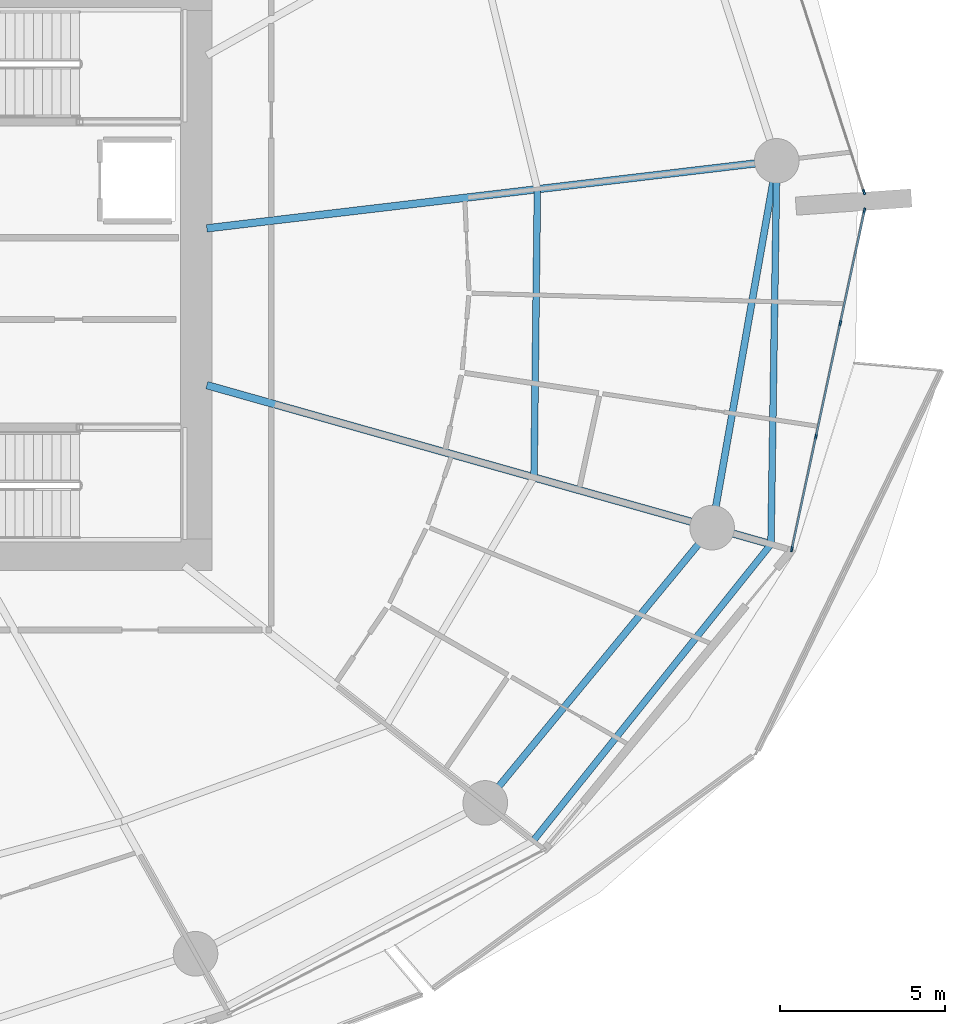
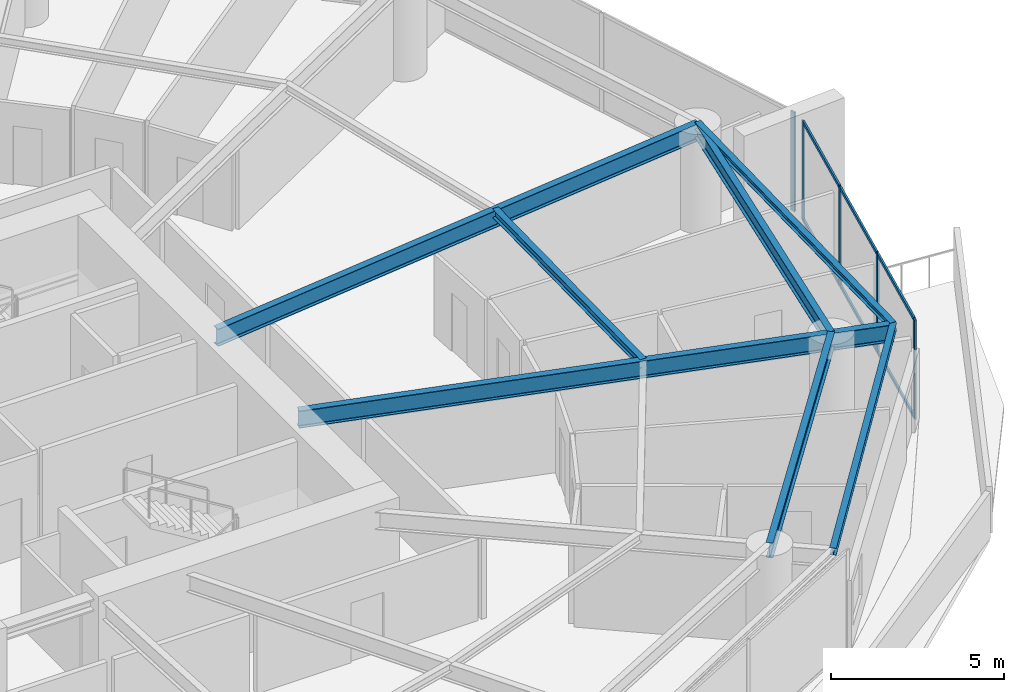
# One storey, part 11 of 30: 11 members, 7 beams, 2 elements without a shape of their own.
"""IFC4 building model written with IfcOpenShell, lengths in metres."""

from ifc_helpers import new_model, si_unit, direction, frame, origin, origin_2d, place, context, subcontext, project, spatial, rectangle, i_section, extrude, material, layer, layer_set, material_profile, profile_set, type_object, element, aggregate, save


model = new_model("IFC4")

# Units and contexts
model_context = context("Model", 3, precision=1e-05, world=origin(), true_north=direction((0.0, 1.0)))
body_context = subcontext(model_context, "Body", "Model", "MODEL_VIEW")
ifc_project = project(units=[si_unit("LENGTHUNIT", "METRE"), si_unit("AREAUNIT", "SQUARE_METRE"), si_unit("VOLUMEUNIT", "CUBIC_METRE"), si_unit("PLANEANGLEUNIT", "RADIAN"), si_unit("MASSUNIT", "GRAM", prefix="KILO")], contexts=[model_context])

# Site, building, storey
site_placement = place(None, origin())
site = spatial("IfcSite", under=ifc_project, at=site_placement, CompositionType="ELEMENT")
building_placement = place(site_placement, origin())
building = spatial("IfcBuilding", under=site, at=building_placement, Name="Kazma Halo Residences", CompositionType="ELEMENT")
storey_placement = place(building_placement, frame((0.0, 0.0, 56.39990234375)))
storey = spatial("IfcBuildingStorey", under=building, at=storey_placement, Name="L13", CompositionType="ELEMENT", Elevation=56.39990234375)

# Beams
ifc_material_1 = material(Name="Steel S355", Category="steel")
ifc_material_profile_1 = material_profile(ifc_material_1, i_section(OverallWidth=0.201904296875, OverallDepth=0.2470703125, WebThickness=0.00732421875, FlangeThickness=0.010986328125, FilletRadius=0.011962890625, at=origin_2d()), Name="W250x49.1")
ifc_profile_set_1 = profile_set([ifc_material_profile_1], Name="Steel S355")
beam_type_1 = type_object("IfcBeamType", Name="BM-BAL-CANT", PredefinedType="BEAM", material=ifc_profile_set_1)
beam_1_placement = place(storey_placement, frame((69.728515625, 24.87060546875, 3.376708984375), z_axis=(0.625476617708, 0.780242911343, 0.0), x_axis=(-0.780242911343, 0.625476617708, 0.0)))
element("IfcBeam", 1, at=beam_1_placement, inside=storey, type_object=beam_type_1, Name="L13 wave-balcony tie beam 14", PredefinedType="BEAM", context=body_context, shape_type="SweptSolid", body=[
    extrude(i_section(OverallWidth=0.201904296875, OverallDepth=0.2470703125, WebThickness=0.00732421875, FlangeThickness=0.010986328125, FilletRadius=0.011962890625, at=origin_2d()), origin(), (0.0, 0.0, 1.0), 11.499755859375),
])
beam_2_placement = place(storey_placement, frame((76.92138671875, 33.84326171875, 3.376708984375), z_axis=(0.015213846033, 0.999884262747, 0.0), x_axis=(-0.999884262747, 0.015213846033, 0.0)))
element("IfcBeam", 2, at=beam_2_placement, inside=storey, type_object=beam_type_1, Name="L13 wave-balcony tie beam 15", PredefinedType="BEAM", context=body_context, shape_type="SweptSolid", body=[
    extrude(i_section(OverallWidth=0.201904296875, OverallDepth=0.2470703125, WebThickness=0.00732421875, FlangeThickness=0.010986328125, FilletRadius=0.011962890625, at=origin_2d()), origin(), (0.0, 0.0, 1.0), 11.602294921875),
])
ifc_material_profile_2 = material_profile(ifc_material_1, i_section(OverallWidth=0.22802734375, OverallDepth=0.60791015625, WebThickness=0.01123046875, FlangeThickness=0.017333984375, FilletRadius=0.01806640625, at=origin_2d()), Name="W610x113")
ifc_profile_set_2 = profile_set([ifc_material_profile_2], Name="Steel S355")
beam_type_2 = type_object("IfcBeamType", Name="BM-RAD-W610", PredefinedType="BEAM", material=ifc_profile_set_2)
beam_3_placement = place(storey_placement, frame((59.85009765625, 38.657958984375, 3.196044921875), z_axis=(0.962453825278, -0.271445453468, 0.0), x_axis=(0.271445453468, 0.962453825278, 0.0)))
element("IfcBeam", 3, at=beam_3_placement, inside=storey, type_object=beam_type_2, Name="L13 radial floor beam 15", PredefinedType="BEAM", context=body_context, shape_type="SweptSolid", body=[
    extrude(i_section(OverallWidth=0.22802734375, OverallDepth=0.60791015625, WebThickness=0.01123046875, FlangeThickness=0.017333984375, FilletRadius=0.01806640625, at=origin_2d()), origin(), (0.0, 0.0, 1.0), 17.7373046875),
])
beam_4_placement = place(storey_placement, frame((59.85009765625, 43.402587890625, 3.196044921875), z_axis=(0.993067839154, 0.117542617111, 0.0), x_axis=(-0.117542617111, 0.993067839154, 0.0)))
element("IfcBeam", 4, at=beam_4_placement, inside=storey, type_object=beam_type_2, Name="L13 radial floor beam 16", PredefinedType="BEAM", context=body_context, shape_type="SweptSolid", body=[
    extrude(i_section(OverallWidth=0.22802734375, OverallDepth=0.60791015625, WebThickness=0.01123046875, FlangeThickness=0.017333984375, FilletRadius=0.01806640625, at=origin_2d()), origin(), (0.0, 0.0, 1.0), 17.3681640625),
])
ifc_material_profile_3 = material_profile(ifc_material_1, i_section(OverallWidth=0.202880859375, OverallDepth=0.302978515625, WebThickness=0.007568359375, FlangeThickness=0.01318359375, FilletRadius=0.013916015625, at=origin_2d()), Name="W310x60")
ifc_profile_set_3 = profile_set([ifc_material_profile_3], Name="Steel S355")
beam_type_3 = type_object("IfcBeamType", Name="BM-SEC-W310A", PredefinedType="JOIST", material=ifc_profile_set_3)
beam_5_placement = place(storey_placement, frame((69.75146484375, 35.865478515625, 3.3486328125), z_axis=(0.011728659646, 0.999931216906, 0.0), x_axis=(-0.999931216906, 0.011728659646, 0.0)))
element("IfcBeam", 5, at=beam_5_placement, inside=storey, type_object=beam_type_3, Name="L13 circumferential floor joist 15", PredefinedType="JOIST", context=body_context, shape_type="SweptSolid", body=[
    extrude(i_section(OverallWidth=0.202880859375, OverallDepth=0.302978515625, WebThickness=0.007568359375, FlangeThickness=0.01318359375, FilletRadius=0.013916015625, at=origin_2d()), origin(), (0.0, 0.0, 1.0), 8.7216796875),
])
ifc_material_profile_4 = material_profile(ifc_material_1, i_section(OverallWidth=0.208984375, OverallDepth=0.532958984375, WebThickness=0.01025390625, FlangeThickness=0.015625, FilletRadius=0.01611328125, at=origin_2d()), Name="W530x92")
ifc_profile_set_4 = profile_set([ifc_material_profile_4], Name="Steel S355")
beam_type_4 = type_object("IfcBeamType", Name="BM-SPN-W530", PredefinedType="BEAM", material=ifc_profile_set_4)
beam_6_placement = place(storey_placement, frame((68.27587890625, 26.015869140625, 3.233642578125), z_axis=(0.636001336663, 0.771687954916, 0.0), x_axis=(-0.771687954916, 0.636001336663, 0.0)))
element("IfcBeam", 6, at=beam_6_placement, inside=storey, type_object=beam_type_4, Name="L13 perimeter ring beam 14", PredefinedType="BEAM", context=body_context, shape_type="SweptSolid", body=[
    extrude(i_section(OverallWidth=0.208984375, OverallDepth=0.532958984375, WebThickness=0.01025390625, FlangeThickness=0.015625, FilletRadius=0.01611328125, at=origin_2d()), origin(), (0.0, 0.0, 1.0), 10.7939453125),
])
beam_7_placement = place(storey_placement, frame((75.140869140625, 34.345458984375, 3.233642578125), z_axis=(0.173651864005, 0.984807103004, 0.0), x_axis=(-0.984807103004, 0.173651864005, 0.0)))
element("IfcBeam", 7, at=beam_7_placement, inside=storey, type_object=beam_type_4, Name="L13 perimeter ring beam 15", PredefinedType="BEAM", context=body_context, shape_type="SweptSolid", body=[
    extrude(i_section(OverallWidth=0.208984375, OverallDepth=0.532958984375, WebThickness=0.01025390625, FlangeThickness=0.015625, FilletRadius=0.01611328125, at=origin_2d()), origin(), (0.0, 0.0, 1.0), 11.269775390625),
])

# Curtain wall, members
ifc_material_2 = material(Name="Aluminium AW-6063 T6 and Triple-Silver Low-E Glass", Category="aluminium")
ifc_layer = layer(ifc_material_2, 0.159912109375)
ifc_layer_set = layer_set([ifc_layer], Name="Aluminium AW-6063 T6 and Triple-Silver Low-E Glass")
curtain_wall_type = type_object("IfcCurtainWallType", Name="CW-SYS-2", PredefinedType="NOTDEFINED", material=ifc_layer_set)
curtain_wall_1_placement = place(storey_placement, origin())
curtain_wall_1 = element("IfcCurtainWall", 8, at=curtain_wall_1_placement, inside=storey, type_object=curtain_wall_type, Name="L13 unitised curtain wall B15", PredefinedType="NOTDEFINED")
ifc_material_3 = material(Name="Aluminium AW-6063 T6", Category="aluminium")
ifc_material_profile_5 = material_profile(ifc_material_3, rectangle(XDim=0.06005859375, YDim=0.159912109375, at=origin_2d()), Name="CWM-60x160")
ifc_profile_set_5 = profile_set([ifc_material_profile_5], Name="Aluminium AW-6063 T6")
member_type_1 = type_object("IfcMemberType", Name="CW-SYS-2-MUL", PredefinedType="MULLION", material=ifc_profile_set_5)
member_1_placement = place(storey_placement, frame((77.552978515625, 33.6962890625, 0.0), z_axis=(0.0, 0.0, 1.0), x_axis=(-0.977779215096, 0.209637321406, 0.0)))
member_1 = element("IfcMember", 9, at=member_1_placement, type_object=member_type_1, Name="CWS-2 mullion 1", PredefinedType="MULLION", context=body_context, shape_type="SweptSolid", body=[
    extrude(rectangle(XDim=0.06005859375, YDim=0.159912109375, at=origin_2d()), origin(), (0.0, 0.0, 1.0), 3.5),
])
member_2_placement = place(storey_placement, frame((78.282958984375, 37.101318359375, 0.0), z_axis=(0.0, 0.0, 1.0), x_axis=(-0.977779215096, 0.209637321406, 0.0)))
member_2 = element("IfcMember", 10, at=member_2_placement, type_object=member_type_1, Name="CWS-2 mullion 2", PredefinedType="MULLION", context=body_context, shape_type="SweptSolid", body=[
    extrude(rectangle(XDim=0.06005859375, YDim=0.159912109375, at=origin_2d()), origin(), (0.0, 0.0, 1.0), 3.5),
])
member_3_placement = place(storey_placement, frame((79.019287109375, 40.53564453125, 0.0), z_axis=(0.0, 0.0, 1.0), x_axis=(-0.977779215096, 0.209637321406, 0.0)))
member_3 = element("IfcMember", 11, at=member_3_placement, type_object=member_type_1, Name="CWS-2 mullion 3", PredefinedType="MULLION", context=body_context, shape_type="SweptSolid", body=[
    extrude(rectangle(XDim=0.06005859375, YDim=0.159912109375, at=origin_2d()), origin(), (0.0, 0.0, 1.0), 3.5),
])
member_4_placement = place(storey_placement, frame((79.74951171875, 43.940673828125, 0.0), z_axis=(0.0, 0.0, 1.0), x_axis=(-0.977779215096, 0.209637321406, 0.0)))
member_4 = element("IfcMember", 12, at=member_4_placement, type_object=member_type_1, Name="CWS-2 mullion 4", PredefinedType="MULLION", context=body_context, shape_type="SweptSolid", body=[
    extrude(rectangle(XDim=0.06005859375, YDim=0.159912109375, at=origin_2d()), origin(), (0.0, 0.0, 1.0), 3.5),
])

# Curtain wall, member
curtain_wall_2_placement = place(storey_placement, origin())
curtain_wall_2 = element("IfcCurtainWall", 13, at=curtain_wall_2_placement, inside=storey, type_object=curtain_wall_type, Name="L13 unitised curtain wall B16", PredefinedType="NOTDEFINED")
member_5_placement = place(storey_placement, frame((79.73828125, 44.499267578125, 0.0), z_axis=(0.0, 0.0, 1.0), x_axis=(-0.95105652404, -0.309016970539, 0.0)))
member_5 = element("IfcMember", 14, at=member_5_placement, type_object=member_type_1, Name="CWS-2 mullion 1", PredefinedType="MULLION", context=body_context, shape_type="SweptSolid", body=[
    extrude(rectangle(XDim=0.06005859375, YDim=0.159912109375, at=origin_2d()), origin(), (0.0, 0.0, 1.0), 3.5),
])
aggregate(curtain_wall_2, [member_5])

# Member
ifc_material_profile_6 = material_profile(ifc_material_3, rectangle(XDim=0.06005859375, YDim=0.1201171875, at=origin_2d()), Name="CWT-60x120")
ifc_profile_set_6 = profile_set([ifc_material_profile_6], Name="Aluminium AW-6063 T6")
member_type_2 = type_object("IfcMemberType", Name="CW-SYS-2-TRN", PredefinedType="USERDEFINED", material=ifc_profile_set_6)
member_6_placement = place(storey_placement, frame((77.559326171875, 33.7255859375, 0.030029296875), z_axis=(0.209650877007, 0.977776308657, 0.0), x_axis=(-0.977776308657, 0.209650877007, 0.0)))
member_6 = element("IfcMember", 15, at=member_6_placement, type_object=member_type_2, Name="CWS-2 transom 1.1", ObjectType="TRANSOM", PredefinedType="USERDEFINED", context=body_context, shape_type="SweptSolid", body=[
    extrude(rectangle(XDim=0.06005859375, YDim=0.1201171875, at=origin_2d()), origin(), (0.0, 0.0, 1.0), 3.422607421875),
])

member_7_placement = place(storey_placement, frame((77.559326171875, 33.7255859375, 3.47021484375), z_axis=(0.209650877007, 0.977776308657, 0.0), x_axis=(-0.977776308657, 0.209650877007, 0.0)))
member_7 = element("IfcMember", 16, at=member_7_placement, type_object=member_type_2, Name="CWS-2 transom 1.2", ObjectType="TRANSOM", PredefinedType="USERDEFINED", context=body_context, shape_type="SweptSolid", body=[
    extrude(rectangle(XDim=0.06005859375, YDim=0.1201171875, at=origin_2d()), origin(), (0.0, 0.0, 1.0), 3.422607421875),
])

member_8_placement = place(storey_placement, frame((78.289306640625, 37.130615234375, 0.030029296875), z_axis=(0.209669136217, 0.977772393412, 0.0), x_axis=(-0.977772393412, 0.209669136217, 0.0)))
member_8 = element("IfcMember", 17, at=member_8_placement, type_object=member_type_2, Name="CWS-2 transom 2.1", ObjectType="TRANSOM", PredefinedType="USERDEFINED", context=body_context, shape_type="SweptSolid", body=[
    extrude(rectangle(XDim=0.06005859375, YDim=0.1201171875, at=origin_2d()), origin(), (0.0, 0.0, 1.0), 3.452392578125),
])

member_9_placement = place(storey_placement, frame((78.289306640625, 37.130615234375, 3.47021484375), z_axis=(0.209669136217, 0.977772393412, 0.0), x_axis=(-0.977772393412, 0.209669136217, 0.0)))
member_9 = element("IfcMember", 18, at=member_9_placement, type_object=member_type_2, Name="CWS-2 transom 2.2", ObjectType="TRANSOM", PredefinedType="USERDEFINED", context=body_context, shape_type="SweptSolid", body=[
    extrude(rectangle(XDim=0.06005859375, YDim=0.1201171875, at=origin_2d()), origin(), (0.0, 0.0, 1.0), 3.452392578125),
])

member_10_placement = place(storey_placement, frame((79.025634765625, 40.565185546875, 0.030029296875), z_axis=(0.209665500897, 0.977773172946, 0.0), x_axis=(-0.977773172946, 0.209665500897, 0.0)))
member_10 = element("IfcMember", 19, at=member_10_placement, type_object=member_type_2, Name="CWS-2 transom 3.1", ObjectType="TRANSOM", PredefinedType="USERDEFINED", context=body_context, shape_type="SweptSolid", body=[
    extrude(rectangle(XDim=0.06005859375, YDim=0.1201171875, at=origin_2d()), origin(), (0.0, 0.0, 1.0), 3.42236328125),
])

member_11_placement = place(storey_placement, frame((79.025634765625, 40.565185546875, 3.47021484375), z_axis=(0.209665500897, 0.977773172946, 0.0), x_axis=(-0.977773172946, 0.209665500897, 0.0)))
member_11 = element("IfcMember", 20, at=member_11_placement, type_object=member_type_2, Name="CWS-2 transom 3.2", ObjectType="TRANSOM", PredefinedType="USERDEFINED", context=body_context, shape_type="SweptSolid", body=[
    extrude(rectangle(XDim=0.06005859375, YDim=0.1201171875, at=origin_2d()), origin(), (0.0, 0.0, 1.0), 3.42236328125),
])

aggregate(curtain_wall_1, [member_1, member_2, member_3, member_4, member_6, member_7, member_8, member_9, member_10, member_11])

save(model, "model.ifc")
